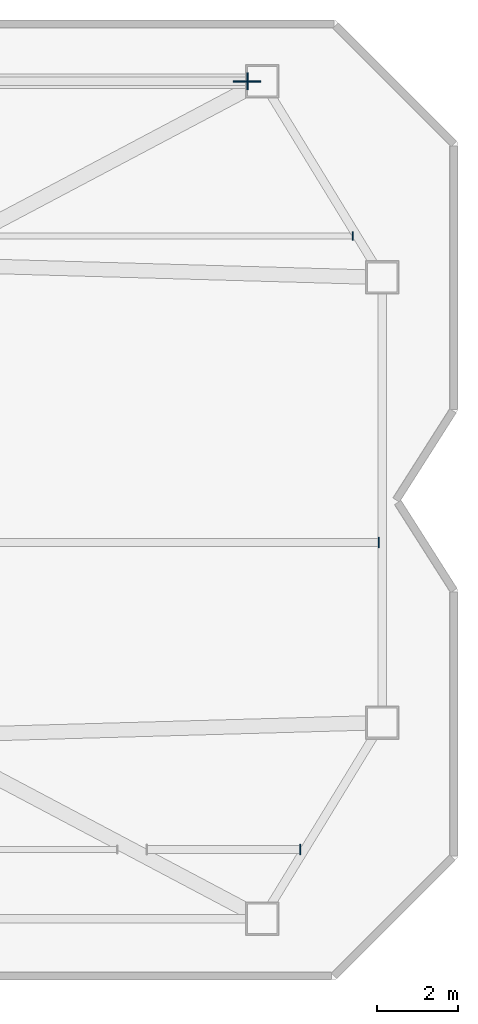
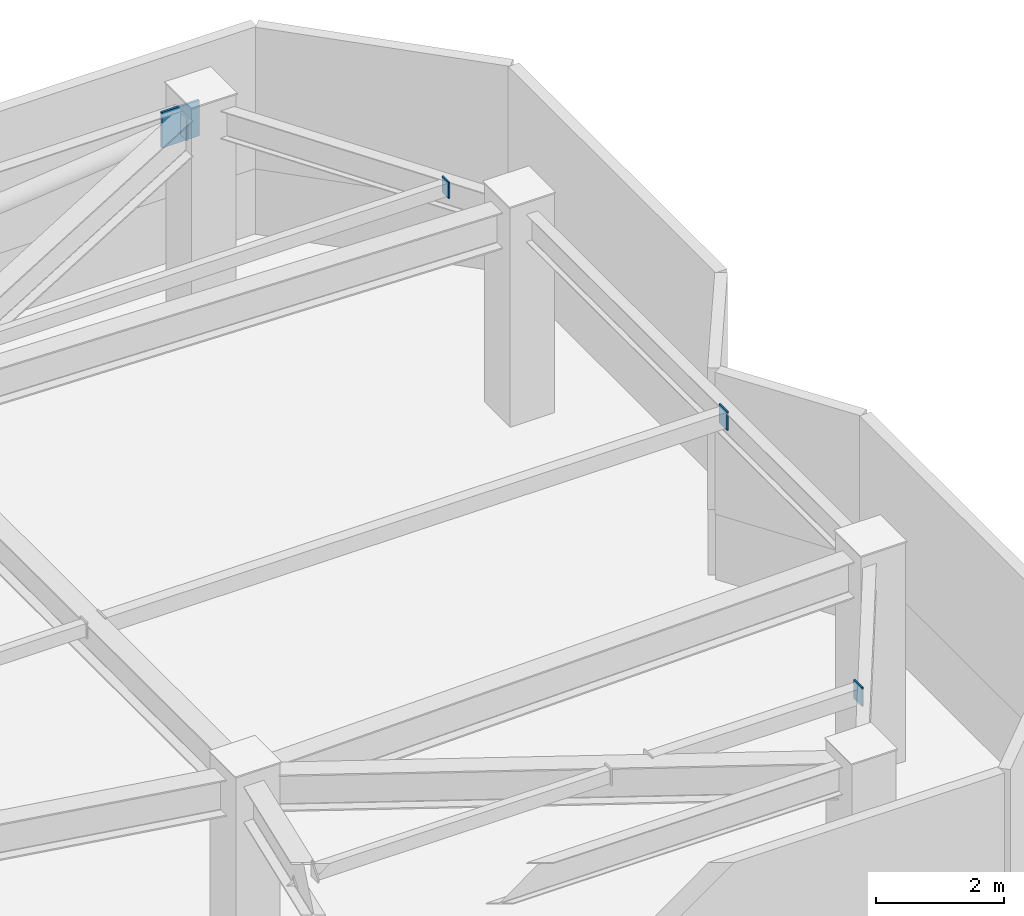
# One storey, part 5 of 7: 5 plates.
"""IFC4 building model written with IfcOpenShell, lengths in metres."""

from ifc_helpers import new_model, si_unit, direction, frame, origin, origin_2d, place, context, subcontext, project, spatial, rectangle, extrude, material, layer, layer_set, type_object, element, save


model = new_model("IFC4")

# Units and contexts
model_context = context("Model", 3, precision=1e-05, world=origin(), true_north=direction((0.0, 1.0)))
body_context = subcontext(model_context, "Body", "Model", "MODEL_VIEW")
ifc_project = project(units=[si_unit("LENGTHUNIT", "METRE"), si_unit("AREAUNIT", "SQUARE_METRE"), si_unit("VOLUMEUNIT", "CUBIC_METRE"), si_unit("PLANEANGLEUNIT", "RADIAN"), si_unit("MASSUNIT", "GRAM", prefix="KILO")], contexts=[model_context])

# Site, building, storey
site_placement = place(None, origin())
site = spatial("IfcSite", under=ifc_project, at=site_placement, CompositionType="ELEMENT")
building_placement = place(site_placement, origin())
building = spatial("IfcBuilding", under=site, at=building_placement, Name="Khamvora Tower", CompositionType="ELEMENT")
storey_placement = place(building_placement, frame((0.0, 0.0, 307.85009765625)))
storey = spatial("IfcBuildingStorey", under=building, at=storey_placement, Name="ROOF", CompositionType="ELEMENT", Elevation=307.85009765625)

# Plates
ifc_material_1 = material(Name="Steel S355", Category="steel")
ifc_layer_1 = layer(ifc_material_1, 0.02490234375)
ifc_layer_set_1 = layer_set([ifc_layer_1], Name="Steel S355")
plate_type_1 = type_object("IfcPlateType", Name="PL-CAP-25", PredefinedType="SHEET", material=ifc_layer_set_1)
plate_1_placement = place(storey_placement, frame((58.634033203125, 38.300048828125, 3.435791015625), z_axis=(0.0, 0.0, 1.0), x_axis=(1.0, 0.0, 0.0)))
element("IfcPlate", 1, at=plate_1_placement, inside=storey, type_object=plate_type_1, Name="ROOF hollow section steel end cap plate 1328", PredefinedType="SHEET", context=body_context, shape_type="SweptSolid", body=[
    extrude(rectangle(XDim=0.02490234375, YDim=0.416015625, at=origin_2d()), origin(), (0.0, 0.0, 1.0), 0.416015625),
])
for number, where, z_axis, x_axis, name in (
    (2, (59.93408203125, 19.39990234375, 3.61962890625), (0.0, 0.0, 1.0), (1.0, 0.0, 0.0), "ROOF hollow section steel end cap plate 1334"),
    (3, (61.864013671875, 26.949951171875, 3.61962890625), (0.0, 0.0, 1.0), (1.0, 0.0, 0.0), "ROOF hollow section steel end cap plate 1338"),
):
    element("IfcPlate", number, at=place(storey_placement, frame(where, z_axis=z_axis, x_axis=x_axis)), inside=storey, type_object=plate_type_1, Name=name, PredefinedType="SHEET", context=body_context, shape_type="SweptSolid", body=[
        extrude(rectangle(XDim=0.02490234375, YDim=0.260009765625, at=origin_2d()), origin(), (0.0, 0.0, 1.0), 0.360107421875),
    ])
plate_2_placement = place(storey_placement, frame((61.218994140625, 34.5, 3.669921875), z_axis=(0.0, 0.0, 1.0), x_axis=(1.0, 0.0, 0.0)))
element("IfcPlate", 4, at=plate_2_placement, inside=storey, type_object=plate_type_1, Name="ROOF hollow section steel end cap plate 1344", PredefinedType="SHEET", context=body_context, shape_type="SweptSolid", body=[
    extrude(rectangle(XDim=0.02490234375, YDim=0.2099609375, at=origin_2d()), origin(), (0.0, 0.0, 1.0), 0.31005859375),
])
ifc_material_2 = material(Name="Steel S460", Category="steel")
ifc_layer_2 = layer(ifc_material_2, 0.0400390625)
ifc_layer_set_2 = layer_set([ifc_layer_2], Name="Steel S460")
plate_type_2 = type_object("IfcPlateType", Name="PLT-GUS-40", PredefinedType="SHEET", material=ifc_layer_set_2)
plate_3_placement = place(storey_placement, frame((58.6220703125, 38.300048828125, 3.302734375), z_axis=(0.0, 0.0, 1.0), x_axis=(1.0, 0.0, 0.0)))
element("IfcPlate", 5, at=plate_3_placement, inside=storey, type_object=plate_type_2, Name="ROOF brace connection node gusset plate 0476", PredefinedType="SHEET", context=body_context, shape_type="SweptSolid", body=[
    extrude(rectangle(XDim=0.679931640625, YDim=0.0400390625, at=origin_2d()), origin(), (0.0, 0.0, 1.0), 0.679931640625),
])

save(model, "model.ifc")
